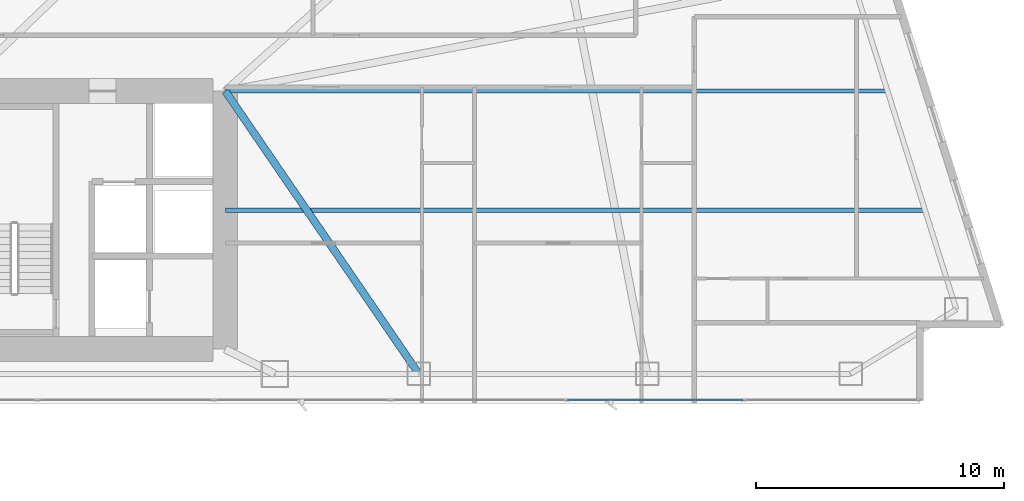
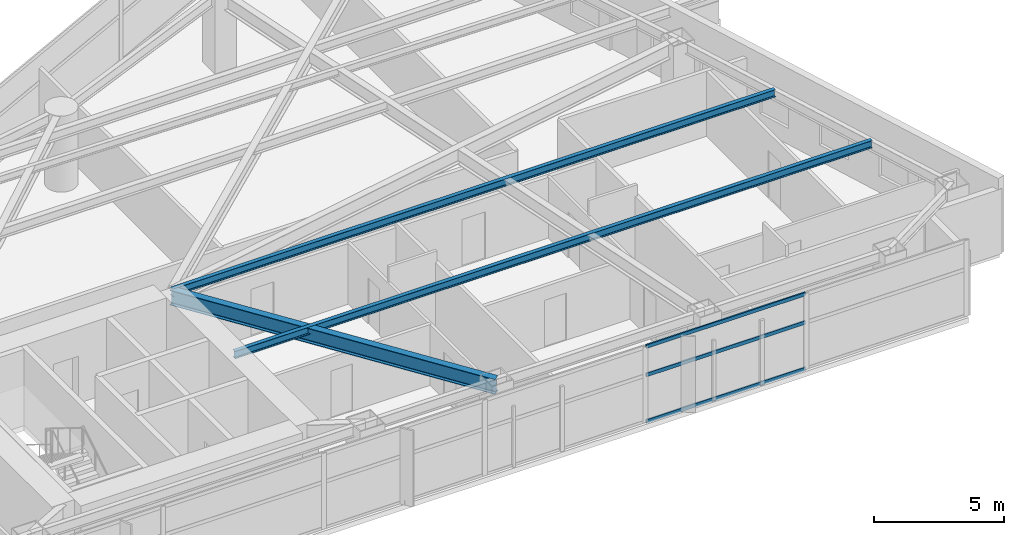
# One storey, part 13 of 29: 3 beams, 3 members, 1 element without a shape of its own.
"""IFC4 building model written with IfcOpenShell, lengths in metres."""

from ifc_helpers import new_model, si_unit, direction, frame, origin, origin_2d, place, context, subcontext, project, spatial, hollow_rectangle, i_section, extrude, material, layer, layer_set, material_profile, profile_set, type_object, element, aggregate, save


model = new_model("IFC4")

# Units and contexts
model_context = context("Model", 3, precision=1e-05, world=origin(), true_north=direction((0.0, 1.0)))
body_context = subcontext(model_context, "Body", "Model", "MODEL_VIEW")
ifc_project = project(units=[si_unit("LENGTHUNIT", "METRE"), si_unit("AREAUNIT", "SQUARE_METRE"), si_unit("VOLUMEUNIT", "CUBIC_METRE"), si_unit("PLANEANGLEUNIT", "RADIAN"), si_unit("MASSUNIT", "GRAM", prefix="KILO")], contexts=[model_context])

# Site, building, storey
site_placement = place(None, origin())
site = spatial("IfcSite", under=ifc_project, at=site_placement, CompositionType="ELEMENT")
building_placement = place(site_placement, origin())
building = spatial("IfcBuilding", under=site, at=building_placement, Name="Calvorn Quay Hotel", CompositionType="ELEMENT")
storey_placement = place(building_placement, frame((0.0, 0.0, 66.0)))
storey = spatial("IfcBuildingStorey", under=building, at=storey_placement, Name="L15", CompositionType="ELEMENT", Elevation=66.0)

# Beams
ifc_material_1 = material(Name="Steel Q390GJC", Category="steel")
ifc_material_profile_1 = material_profile(ifc_material_1, i_section(OverallWidth=0.300048828125, OverallDepth=0.699951171875, WebThickness=0.012939453125, FlangeThickness=0.02392578125, FilletRadius=0.02392578125, at=origin_2d()), Name="HN700x300x13x24")
ifc_profile_set_1 = profile_set([ifc_material_profile_1], Name="Steel Q390GJC")
beam_type_1 = type_object("IfcBeamType", Name="BM-GIRD-MAIN", PredefinedType="BEAM", material=ifc_profile_set_1)
beam_1_placement = place(storey_placement, frame((40.199951171875, 3.60009765625, 3.18994140625), z_axis=(-0.564689618177, 0.825303359452, 0.0), x_axis=(-0.825303359452, -0.564689618177, 0.0)))
element("IfcBeam", 1, at=beam_1_placement, inside=storey, type_object=beam_type_1, Name="Beam BG-L15-E6", PredefinedType="BEAM", context=body_context, shape_type="SweptSolid", body=[
    extrude(i_section(OverallWidth=0.300048828125, OverallDepth=0.699951171875, WebThickness=0.012939453125, FlangeThickness=0.02392578125, FilletRadius=0.02392578125, at=origin_2d()), origin(), (0.0, 0.0, 1.0), 13.81298828125),
])
ifc_material_2 = material(Name="Steel Q355B", Category="steel")
ifc_material_profile_2 = material_profile(ifc_material_2, i_section(OverallWidth=0.175048828125, OverallDepth=0.35009765625, WebThickness=0.007080078125, FlangeThickness=0.010986328125, FilletRadius=0.013916015625, at=origin_2d()), Name="HN350x175x7x11")
ifc_profile_set_2 = profile_set([ifc_material_profile_2], Name="Steel Q355B")
beam_type_2 = type_object("IfcBeamType", Name="BM-JOIST-SEC", PredefinedType="JOIST", material=ifc_profile_set_2)
beam_2_placement = place(storey_placement, frame((32.39990234375, 10.199951171875, 3.364990234375), z_axis=(1.0, 0.0, 0.0), x_axis=(0.0, 1.0, 0.0)))
element("IfcBeam", 2, at=beam_2_placement, inside=storey, type_object=beam_type_2, Name="Beam BJ-L15-E1", PredefinedType="JOIST", context=body_context, shape_type="SweptSolid", body=[
    extrude(i_section(OverallWidth=0.175048828125, OverallDepth=0.35009765625, WebThickness=0.007080078125, FlangeThickness=0.010986328125, FilletRadius=0.013916015625, at=origin_2d()), origin(), (0.0, 0.0, 1.0), 28.201171875),
])
beam_3_placement = place(storey_placement, frame((32.39990234375, 15.0, 3.364990234375), z_axis=(1.0, 0.0, 0.0), x_axis=(0.0, 1.0, 0.0)))
element("IfcBeam", 3, at=beam_3_placement, inside=storey, type_object=beam_type_2, Name="Beam BJ-L15-E2", PredefinedType="JOIST", context=body_context, shape_type="SweptSolid", body=[
    extrude(i_section(OverallWidth=0.175048828125, OverallDepth=0.35009765625, WebThickness=0.007080078125, FlangeThickness=0.010986328125, FilletRadius=0.013916015625, at=origin_2d()), origin(), (0.0, 0.0, 1.0), 26.68798828125),
])

# Curtain wall, members
ifc_material_3 = material(Name="Pale Anodised Aluminium and Low-E Glass", Category="aluminium")
ifc_layer = layer(ifc_material_3, 0.219970703125)
ifc_layer_set = layer_set([ifc_layer], Name="CW-SYS-Z1")
curtain_wall_type = type_object("IfcCurtainWallType", Name="CW-SYS-Z1", PredefinedType="NOTDEFINED", material=ifc_layer_set)
curtain_wall_placement = place(storey_placement, origin())
curtain_wall = element("IfcCurtainWall", 4, at=curtain_wall_placement, inside=storey, type_object=curtain_wall_type, Name="Tower South Waterfront Curtain Wall (L15)", PredefinedType="NOTDEFINED")
ifc_material_4 = material(Name="Pale Anodised Aluminium 6063-T6", Category="aluminium")
ifc_material_profile_3 = material_profile(ifc_material_4, hollow_rectangle(XDim=0.06494140625, YDim=0.1650390625, WallThickness=0.00341796875, at=origin_2d()), Name="ALU-T165x65x3.5")
ifc_profile_set_3 = profile_set([ifc_material_profile_3], Name="Pale Anodised Aluminium 6063-T6")
member_type = type_object("IfcMemberType", Name="CW-SYS-Z1-TRN", PredefinedType="USERDEFINED", material=ifc_profile_set_3)
member_1_placement = place(storey_placement, frame((46.201416015625, 2.550048828125, 0.030029296875), z_axis=(1.0, 0.0, 0.0), x_axis=(0.0, 1.0, 0.0)))
member_1 = element("IfcMember", 5, at=member_1_placement, type_object=member_type, Name="CW-L15-S transom 6.1", ObjectType="TRANSOM", PredefinedType="USERDEFINED", context=body_context, shape_type="SweptSolid", body=[
    extrude(hollow_rectangle(XDim=0.06494140625, YDim=0.1650390625, WallThickness=0.00341796875, at=origin_2d()), origin(), (0.0, 0.0, 1.0), 7.05419921875),
])
member_2_placement = place(storey_placement, frame((46.201416015625, 2.550048828125, 2.199951171875), z_axis=(1.0, 0.0, 0.0), x_axis=(0.0, 1.0, 0.0)))
member_2 = element("IfcMember", 6, at=member_2_placement, type_object=member_type, Name="CW-L15-S transom 6.2", ObjectType="TRANSOM", PredefinedType="USERDEFINED", context=body_context, shape_type="SweptSolid", body=[
    extrude(hollow_rectangle(XDim=0.06494140625, YDim=0.1650390625, WallThickness=0.00341796875, at=origin_2d()), origin(), (0.0, 0.0, 1.0), 7.05419921875),
])
member_3_placement = place(storey_placement, frame((46.201416015625, 2.550048828125, 3.530029296875), z_axis=(1.0, 0.0, 0.0), x_axis=(0.0, 1.0, 0.0)))
member_3 = element("IfcMember", 7, at=member_3_placement, type_object=member_type, Name="CW-L15-S transom 6.3", ObjectType="TRANSOM", PredefinedType="USERDEFINED", context=body_context, shape_type="SweptSolid", body=[
    extrude(hollow_rectangle(XDim=0.06494140625, YDim=0.1650390625, WallThickness=0.00341796875, at=origin_2d()), origin(), (0.0, 0.0, 1.0), 7.05419921875),
])
aggregate(curtain_wall, [member_1, member_2, member_3])

save(model, "model.ifc")
